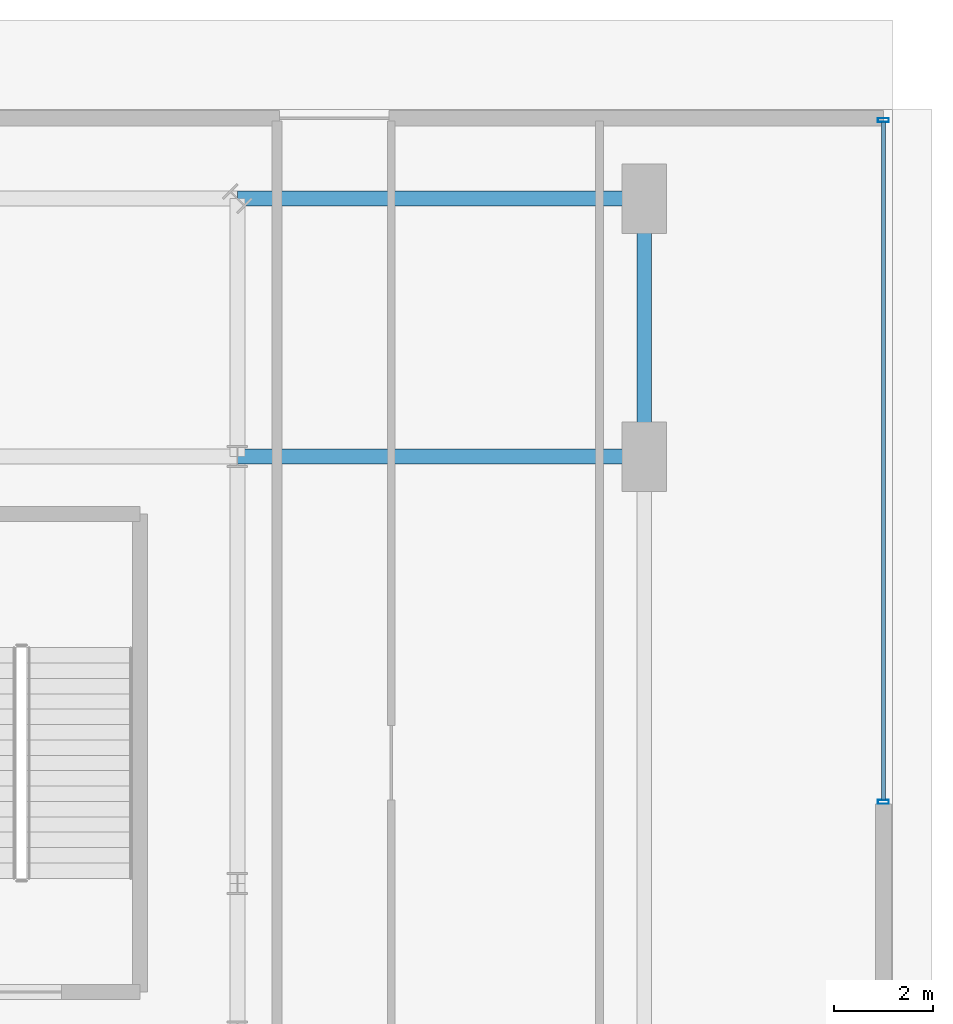
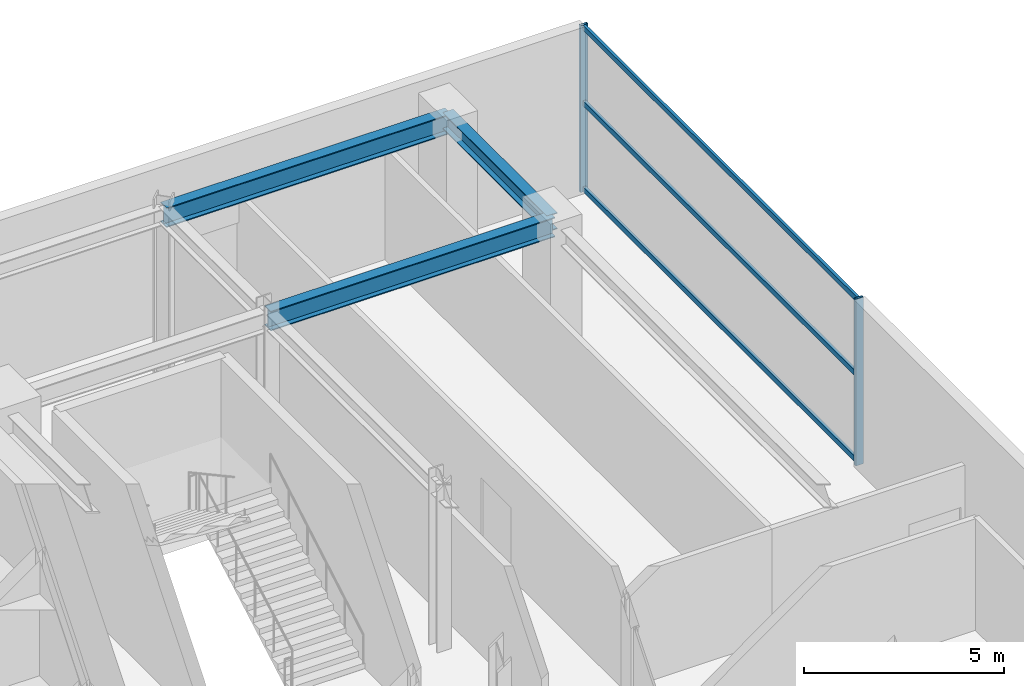
# One storey, part 20 of 29: 5 members, 3 beams, 1 element without a shape of its own.
"""IFC4 building model written with IfcOpenShell, lengths in metres."""

from ifc_helpers import new_model, si_unit, direction, frame, origin, origin_2d, place, context, subcontext, project, spatial, hollow_rectangle, i_section, extrude, source, transform, mapped, material, material_profile, profile_set, type_object, element, aggregate, save


model = new_model("IFC4")

# Units and contexts
model_context = context("Model", 3, precision=1e-05, world=origin(), true_north=direction((0.0, 1.0)))
body_context = subcontext(model_context, "Body", "Model", "MODEL_VIEW")
ifc_project = project(units=[si_unit("LENGTHUNIT", "METRE"), si_unit("AREAUNIT", "SQUARE_METRE"), si_unit("VOLUMEUNIT", "CUBIC_METRE"), si_unit("PLANEANGLEUNIT", "RADIAN"), si_unit("MASSUNIT", "GRAM", prefix="KILO")], contexts=[model_context])

# Site, building, storey
site_placement = place(None, origin())
site = spatial("IfcSite", under=ifc_project, at=site_placement, CompositionType="ELEMENT")
building_placement = place(site_placement, origin())
building = spatial("IfcBuilding", under=site, at=building_placement, Name="Nahalor Promenade Grand Hotel", CompositionType="ELEMENT")
storey_placement = place(building_placement, origin())
storey = spatial("IfcBuildingStorey", under=building, at=storey_placement, Name="L00", CompositionType="ELEMENT", Elevation=0.0)

# Beams
ifc_material_1 = material(Name="Steel S355JR", Category="steel")
ifc_material_profile_1 = material_profile(ifc_material_1, i_section(OverallWidth=0.3, OverallDepth=0.6, WebThickness=0.0155, FlangeThickness=0.03, at=origin_2d()), Name="HEB 600")
ifc_profile_set_1 = profile_set([ifc_material_profile_1], Name="Steel S355JR")
beam_type_1 = type_object("IfcBeamType", Name="Beam-Girder-HEB600", PredefinedType="BEAM", material=ifc_profile_set_1)
shared_shape_1 = source(origin(), body_context, "Body", "SweptSolid", [
    extrude(i_section(OverallWidth=0.3, OverallDepth=0.6, WebThickness=0.0155, FlangeThickness=0.03, at=origin_2d()), origin(), (0.0, 0.0, 1.0), 8.199951171875),
])
for number, where, z_axis, x_axis, name in (
    (1, (24.800048828125, 17.0, 4.780029296875), (1.0, 0.0, 0.0), (0.0, 1.0, 0.0), "BM-L00-GX-3-8"),
    (2, (24.800048828125, 22.199951171875, 4.780029296875), (1.0, 0.0, 0.0), (0.0, 1.0, 0.0), "BM-L00-TIE-PE-+22"),
):
    element("IfcBeam", number, at=place(storey_placement, frame(where, z_axis=z_axis, x_axis=x_axis)), inside=storey, type_object=beam_type_1, Name=name, PredefinedType="BEAM", context=body_context, shape_type="MappedRepresentation", body=[
        mapped(shared_shape_1, transform((0.0, 0.0, 0.0), scale=1.0)),
    ])
ifc_material_profile_2 = material_profile(ifc_material_1, i_section(OverallWidth=0.3, OverallDepth=0.5, WebThickness=0.0145, FlangeThickness=0.028, at=origin_2d()), Name="HEB 500")
ifc_profile_set_2 = profile_set([ifc_material_profile_2], Name="Steel S355JR")
beam_type_2 = type_object("IfcBeamType", Name="Beam-Spandrel-HEB500", PredefinedType="SPANDREL", material=ifc_profile_set_2)
shared_shape_2 = source(origin(), body_context, "Body", "SweptSolid", [
    extrude(i_section(OverallWidth=0.3, OverallDepth=0.5, WebThickness=0.0145, FlangeThickness=0.028, at=origin_2d()), origin(), (0.0, 0.0, 1.0), 5.199951171875),
])
beam_placement = place(storey_placement, frame((33.0, 17.0, 4.830078125), z_axis=(0.0, 1.0, 0.0), x_axis=(-1.0, 0.0, 0.0)))
element("IfcBeam", 3, at=beam_placement, inside=storey, type_object=beam_type_2, Name="BM-L00-PE-3", PredefinedType="SPANDREL", context=body_context, shape_type="MappedRepresentation", body=[
    mapped(shared_shape_2, transform((0.0, 0.0, 0.0), scale=1.0)),
])

# Curtain wall, members
ifc_material_2 = material(Name="Anodised Bronze Aluminium EN AW-6063 T6", Category="aluminium")
curtain_wall_type = type_object("IfcCurtainWallType", Name="CW1 Waterfront Podium Bronze Arcade Curtain Wall", PredefinedType="USERDEFINED", material=ifc_material_2)
curtain_wall_placement = place(storey_placement, origin())
curtain_wall = element("IfcCurtainWall", 4, at=curtain_wall_placement, inside=storey, type_object=curtain_wall_type, Name="L00 Curtain Wall CW-L00-E-N", ObjectType="UNITISED_CURTAIN_WALL", PredefinedType="USERDEFINED")
ifc_material_profile_3 = material_profile(ifc_material_2, hollow_rectangle(XDim=0.08, YDim=0.22, WallThickness=0.005, at=origin_2d()), Name="CWM 80x220x5")
ifc_profile_set_3 = profile_set([ifc_material_profile_3], Name="Anodised Bronze Aluminium EN AW-6063 T6")
member_type_1 = type_object("IfcMemberType", Name="CWM1 Podium Bronze Mullion 80x220", PredefinedType="MULLION", material=ifc_profile_set_3)
shared_shape_3 = source(origin(), body_context, "Body", "SweptSolid", [
    extrude(hollow_rectangle(XDim=0.08, YDim=0.22, WallThickness=0.005, at=origin_2d()), origin(), (0.0, 0.0, 1.0), 5.080078125),
])
member_1_placement = place(storey_placement, frame((37.820068359375, 10.0400390625, 0.0), z_axis=(0.0, 0.0, 1.0), x_axis=(0.0, 1.0, 0.0)))
member_1 = element("IfcMember", 5, at=member_1_placement, type_object=member_type_1, Name="CW-L00-E-N Mullion 0", PredefinedType="MULLION", context=body_context, shape_type="MappedRepresentation", body=[
    mapped(shared_shape_3, transform((0.0, 0.0, 0.0), scale=1.0)),
])
member_2_placement = place(storey_placement, frame((37.820068359375, 23.780029296875, 0.0), z_axis=(0.0, 0.0, 1.0), x_axis=(0.0, 1.0, 0.0)))
member_2 = element("IfcMember", 6, at=member_2_placement, type_object=member_type_1, Name="CW-L00-E-N Mullion 1", PredefinedType="MULLION", context=body_context, shape_type="MappedRepresentation", body=[
    mapped(shared_shape_3, transform((0.0, 0.0, 0.0), scale=1.0)),
])
ifc_material_profile_4 = material_profile(ifc_material_2, hollow_rectangle(XDim=0.08, YDim=0.16, WallThickness=0.004, at=origin_2d()), Name="CWT 80x160x4")
ifc_profile_set_4 = profile_set([ifc_material_profile_4], Name="Anodised Bronze Aluminium EN AW-6063 T6")
member_type_2 = type_object("IfcMemberType", Name="CWT1 Podium Bronze Transom 80x160", PredefinedType="USERDEFINED", material=ifc_profile_set_4)
shared_shape_4 = source(origin(), body_context, "Body", "SweptSolid", [
    extrude(hollow_rectangle(XDim=0.08, YDim=0.16, WallThickness=0.004, at=origin_2d()), origin(), (0.0, 0.0, 1.0), 13.659912109375),
])
member_3_placement = place(storey_placement, frame((37.820068359375, 10.080078125, 0.080078125), z_axis=(0.0, 1.0, 0.0), x_axis=(-1.0, 0.0, 0.0)))
member_3 = element("IfcMember", 7, at=member_3_placement, type_object=member_type_2, Name="CW-L00-E-N Transom 0-0", ObjectType="TRANSOM", PredefinedType="USERDEFINED", context=body_context, shape_type="MappedRepresentation", body=[
    mapped(shared_shape_4, transform((0.0, 0.0, 0.0), scale=1.0)),
])
member_4_placement = place(storey_placement, frame((37.820068359375, 10.080078125, 2.699951171875), z_axis=(0.0, 1.0, 0.0), x_axis=(-1.0, 0.0, 0.0)))
member_4 = element("IfcMember", 8, at=member_4_placement, type_object=member_type_2, Name="CW-L00-E-N Transom 0-1", ObjectType="TRANSOM", PredefinedType="USERDEFINED", context=body_context, shape_type="MappedRepresentation", body=[
    mapped(shared_shape_4, transform((0.0, 0.0, 0.0), scale=1.0)),
])
member_5_placement = place(storey_placement, frame((37.820068359375, 10.080078125, 5.0), z_axis=(0.0, 1.0, 0.0), x_axis=(-1.0, 0.0, 0.0)))
member_5 = element("IfcMember", 9, at=member_5_placement, type_object=member_type_2, Name="CW-L00-E-N Transom 0-2", ObjectType="TRANSOM", PredefinedType="USERDEFINED", context=body_context, shape_type="MappedRepresentation", body=[
    mapped(shared_shape_4, transform((0.0, 0.0, 0.0), scale=1.0)),
])
aggregate(curtain_wall, [member_1, member_2, member_3, member_4, member_5])

save(model, "model.ifc")
